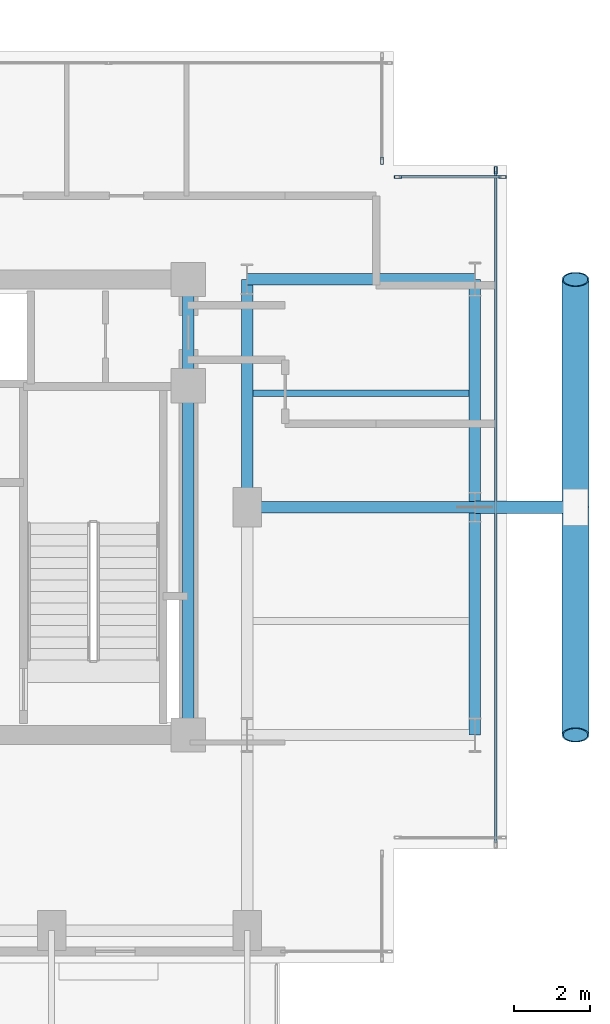
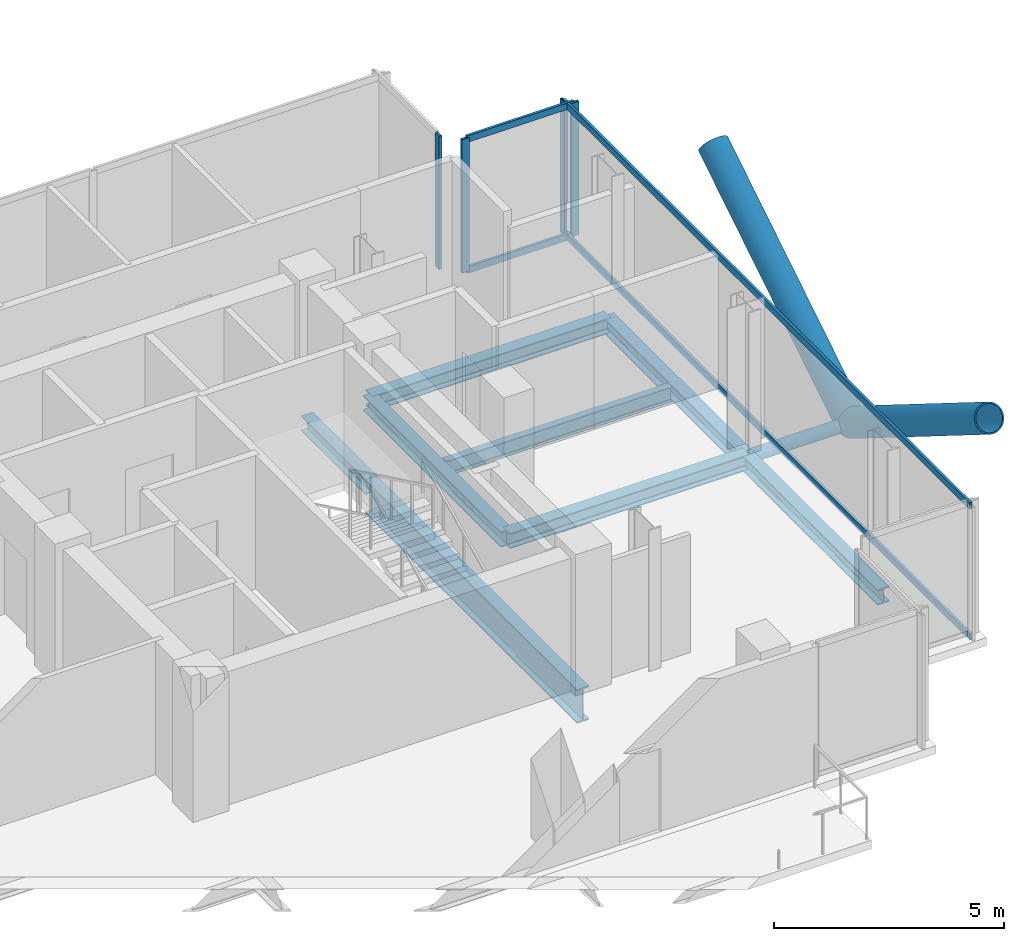
# One storey, part 12 of 25: 11 members, 8 beams, 3 elements without a shape of their own.
"""IFC4 building model written with IfcOpenShell, lengths in metres."""

from ifc_helpers import new_model, si_unit, direction, frame, origin, origin_2d, place, context, subcontext, project, spatial, hollow_rectangle, hollow_circle, i_section, extrude, material, layer, layer_set, material_profile, profile_set, type_object, element, aggregate, save


model = new_model("IFC4")

# Units and contexts
model_context = context("Model", 3, precision=1e-05, world=origin(), true_north=direction((0.0, 1.0)))
body_context = subcontext(model_context, "Body", "Model", "MODEL_VIEW")
ifc_project = project(units=[si_unit("LENGTHUNIT", "METRE"), si_unit("AREAUNIT", "SQUARE_METRE"), si_unit("VOLUMEUNIT", "CUBIC_METRE"), si_unit("PLANEANGLEUNIT", "RADIAN"), si_unit("MASSUNIT", "GRAM", prefix="KILO"), si_unit("THERMODYNAMICTEMPERATUREUNIT", "KELVIN"), si_unit("POWERUNIT", "WATT")], contexts=[model_context])

# Site, building, storey
site_placement = place(None, origin())
site = spatial("IfcSite", under=ifc_project, at=site_placement, CompositionType="ELEMENT")
building_placement = place(site_placement, origin())
building = spatial("IfcBuilding", under=site, at=building_placement, Name="Svarakhadi Broadcast Tower", CompositionType="ELEMENT")
storey_placement = place(building_placement, frame((0.0, 0.0, 216.14990234375)))
storey = spatial("IfcBuildingStorey", under=building, at=storey_placement, Name="L53", CompositionType="ELEMENT", Elevation=216.14990234375)

# Beam
ifc_material_1 = material(Name="Steel S355J2 (IS 2062 E350C)", Category="steel")
ifc_material_profile_1 = material_profile(ifc_material_1, i_section(OverallWidth=0.179931640625, OverallDepth=0.39990234375, WebThickness=0.008544921875, FlangeThickness=0.013427734375, FilletRadius=0.02099609375, at=origin_2d()), Name="NPB 400x180x66")
ifc_profile_set_1 = profile_set([ifc_material_profile_1], Name="Steel S355J2 (IS 2062 E350C)")
beam_type_1 = type_object("IfcBeamType", Name="Beam_NPB400", PredefinedType="BEAM", material=ifc_profile_set_1)
beam_1_placement = place(storey_placement, frame((35.31005859375, 15.0, -0.409912109375), z_axis=(1.0, 0.0, 0.0), x_axis=(0.0, 1.0, 0.0)))
element("IfcBeam", 1, at=beam_1_placement, inside=storey, type_object=beam_type_1, Name="L53 Secondary Composite Beam SB017", PredefinedType="BEAM", context=body_context, shape_type="SweptSolid", body=[
    extrude(i_section(OverallWidth=0.179931640625, OverallDepth=0.39990234375, WebThickness=0.008544921875, FlangeThickness=0.013427734375, FilletRadius=0.02099609375, at=origin_2d()), origin(), (0.0, 0.0, 1.0), 5.679931640625),
])

# Curtain wall, member
ifc_material_2 = material(Name="Anodised Bronze Aluminium AA 6063-T6", Category="aluminium")
ifc_layer = layer(ifc_material_2, 0.18994140625)
ifc_layer_set = layer_set([ifc_layer], Name="Anodised Bronze Aluminium AA 6063-T6")
curtain_wall_type = type_object("IfcCurtainWallType", Name="CW_Sys_04", PredefinedType="NOTDEFINED", material=ifc_layer_set)
curtain_wall_1_placement = place(storey_placement, origin())
curtain_wall_1 = element("IfcCurtainWall", 2, at=curtain_wall_1_placement, inside=storey, type_object=curtain_wall_type, Name="L53 Unitised Facade Curtain Wall 11", PredefinedType="NOTDEFINED")
ifc_material_profile_2 = material_profile(ifc_material_2, hollow_rectangle(XDim=0.070068359375, YDim=0.18994140625, WallThickness=0.005615234375, at=origin_2d()), Name="ALU MULLION 190x70x6")
ifc_profile_set_2 = profile_set([ifc_material_profile_2], Name="Anodised Bronze Aluminium AA 6063-T6")
member_type_1 = type_object("IfcMemberType", Name="CW_Sys_04_Mul", PredefinedType="MULLION", material=ifc_profile_set_2)
member_1_placement = place(storey_placement, frame((38.699951171875, 21.125, 0.0), z_axis=(0.0, 0.0, 1.0), x_axis=(1.0, 0.0, 0.0)))
member_1 = element("IfcMember", 3, at=member_1_placement, type_object=member_type_1, Name="CW-04 mullion 2", PredefinedType="MULLION", context=body_context, shape_type="SweptSolid", body=[
    extrude(hollow_rectangle(XDim=0.070068359375, YDim=0.18994140625, WallThickness=0.005615234375, at=origin_2d()), origin(), (0.0, 0.0, 1.0), 3.5400390625),
])
aggregate(curtain_wall_1, [member_1])

# Curtain wall, members
curtain_wall_2_placement = place(storey_placement, origin())
curtain_wall_2 = element("IfcCurtainWall", 4, at=curtain_wall_2_placement, inside=storey, type_object=curtain_wall_type, Name="L53 Unitised Facade Curtain Wall 12", PredefinedType="NOTDEFINED")
member_2_placement = place(storey_placement, frame((39.125, 20.699951171875, 0.0), z_axis=(0.0, 0.0, 1.0), x_axis=(0.0, 1.0, 0.0)))
member_2 = element("IfcMember", 5, at=member_2_placement, type_object=member_type_1, Name="CW-04 mullion 1", PredefinedType="MULLION", context=body_context, shape_type="SweptSolid", body=[
    extrude(hollow_rectangle(XDim=0.070068359375, YDim=0.18994140625, WallThickness=0.005615234375, at=origin_2d()), origin(), (0.0, 0.0, 1.0), 3.5400390625),
])
member_3_placement = place(storey_placement, frame((41.875, 20.699951171875, 0.0), z_axis=(0.0, 0.0, 1.0), x_axis=(0.0, 1.0, 0.0)))
member_3 = element("IfcMember", 6, at=member_3_placement, type_object=member_type_1, Name="CW-04 mullion 2", PredefinedType="MULLION", context=body_context, shape_type="SweptSolid", body=[
    extrude(hollow_rectangle(XDim=0.070068359375, YDim=0.18994140625, WallThickness=0.005615234375, at=origin_2d()), origin(), (0.0, 0.0, 1.0), 3.5400390625),
])

# Curtain wall, member
curtain_wall_3_placement = place(storey_placement, origin())
curtain_wall_3 = element("IfcCurtainWall", 7, at=curtain_wall_3_placement, inside=storey, type_object=curtain_wall_type, Name="L53 Unitised Facade Curtain Wall 13", PredefinedType="NOTDEFINED")
member_4_placement = place(storey_placement, frame((41.699951171875, 20.875, 0.0), z_axis=(0.0, 0.0, 1.0), x_axis=(1.0, 0.0, 0.0)))
member_4 = element("IfcMember", 8, at=member_4_placement, type_object=member_type_1, Name="CW-04 mullion 1", PredefinedType="MULLION", context=body_context, shape_type="SweptSolid", body=[
    extrude(hollow_rectangle(XDim=0.070068359375, YDim=0.18994140625, WallThickness=0.005615234375, at=origin_2d()), origin(), (0.0, 0.0, 1.0), 3.5400390625),
])

# Member
ifc_material_profile_3 = material_profile(ifc_material_2, hollow_rectangle(XDim=0.06494140625, YDim=0.175048828125, WallThickness=0.0048828125, at=origin_2d()), Name="ALU TRANSOM 175x65x5")
ifc_profile_set_3 = profile_set([ifc_material_profile_3], Name="Anodised Bronze Aluminium AA 6063-T6")
member_type_2 = type_object("IfcMemberType", Name="CW_Sys_04_Trn", PredefinedType="USERDEFINED", material=ifc_profile_set_3)
member_5_placement = place(storey_placement, frame((39.159912109375, 20.699951171875, 0.03271484375), z_axis=(1.0, 0.0, 0.0), x_axis=(0.0, 1.0, 0.0)))
member_5 = element("IfcMember", 9, at=member_5_placement, type_object=member_type_2, Name="CW-04 transom 1.1", ObjectType="TRANSOM", PredefinedType="USERDEFINED", context=body_context, shape_type="SweptSolid", body=[
    extrude(hollow_rectangle(XDim=0.06494140625, YDim=0.175048828125, WallThickness=0.0048828125, at=origin_2d()), origin(), (0.0, 0.0, 1.0), 2.68017578125),
])

member_6_placement = place(storey_placement, frame((39.159912109375, 20.699951171875, 3.507568359375), z_axis=(1.0, 0.0, 0.0), x_axis=(0.0, 1.0, 0.0)))
member_6 = element("IfcMember", 10, at=member_6_placement, type_object=member_type_2, Name="CW-04 transom 1.2", ObjectType="TRANSOM", PredefinedType="USERDEFINED", context=body_context, shape_type="SweptSolid", body=[
    extrude(hollow_rectangle(XDim=0.06494140625, YDim=0.175048828125, WallThickness=0.0048828125, at=origin_2d()), origin(), (0.0, 0.0, 1.0), 2.68017578125),
])

aggregate(curtain_wall_2, [member_2, member_3, member_5, member_6])

member_7_placement = place(storey_placement, frame((41.699951171875, 20.840087890625, 0.03271484375), z_axis=(0.0, -1.0, 0.0), x_axis=(1.0, 0.0, 0.0)))
member_7 = element("IfcMember", 11, at=member_7_placement, type_object=member_type_2, Name="CW-04 transom 1.1", ObjectType="TRANSOM", PredefinedType="USERDEFINED", context=body_context, shape_type="SweptSolid", body=[
    extrude(hollow_rectangle(XDim=0.06494140625, YDim=0.175048828125, WallThickness=0.0048828125, at=origin_2d()), origin(), (0.0, 0.0, 1.0), 17.68017578125),
])

member_8_placement = place(storey_placement, frame((41.699951171875, 20.840087890625, 3.507568359375), z_axis=(0.0, -1.0, 0.0), x_axis=(1.0, 0.0, 0.0)))
member_8 = element("IfcMember", 12, at=member_8_placement, type_object=member_type_2, Name="CW-04 transom 1.2", ObjectType="TRANSOM", PredefinedType="USERDEFINED", context=body_context, shape_type="SweptSolid", body=[
    extrude(hollow_rectangle(XDim=0.06494140625, YDim=0.175048828125, WallThickness=0.0048828125, at=origin_2d()), origin(), (0.0, 0.0, 1.0), 17.68017578125),
])

aggregate(curtain_wall_3, [member_4, member_7, member_8])

# Members
ifc_material_3 = material(Name="Steel S460ML (IS 2062 E450BR)", Category="steel")
ifc_material_profile_4 = material_profile(ifc_material_3, hollow_circle(Radius=0.35546875, WallThickness=0.034912109375, at=origin_2d()), Name="CHS 711x35")
ifc_profile_set_4 = profile_set([ifc_material_profile_4], Name="Steel S460ML (IS 2062 E450BR)")
member_type_3 = type_object("IfcMemberType", Name="Exo_Brace_CHS711", PredefinedType="BRACE", material=ifc_profile_set_4)
for number, where, z_axis, x_axis, name in (
    (13, (43.800048828125, 12.0, -0.371826171875), (0.0, -0.847998304005, 0.529998940003), (1.0, 0.0, 0.0), "L53 Exposed Bronze Exoskeleton Diagonal E06"),
    (14, (43.800048828125, 12.0, -0.371826171875), (0.0, 0.847998304005, 0.529998940003), (-1.0, 0.0, 0.0), "L53 Exposed Bronze Exoskeleton Diagonal E07"),
):
    element("IfcMember", number, at=place(storey_placement, frame(where, z_axis=z_axis, x_axis=x_axis)), inside=storey, type_object=member_type_3, Name=name, PredefinedType="BRACE", context=body_context, shape_type="SweptSolid", body=[
        extrude(hollow_circle(Radius=0.35546875, WallThickness=0.034912109375, at=origin_2d()), origin(), (0.0, 0.0, 1.0), 7.075439453125),
    ])
ifc_material_profile_5 = material_profile(ifc_material_3, hollow_circle(Radius=0.161865234375, WallThickness=0.01611328125, at=origin_2d()), Name="CHS 323.9x16")
ifc_profile_set_5 = profile_set([ifc_material_profile_5], Name="Steel S460ML (IS 2062 E450BR)")
member_type_4 = type_object("IfcMemberType", Name="Exo_Radial_Strut_Z2", PredefinedType="STRUT", material=ifc_profile_set_5)
member_9_placement = place(storey_placement, frame((43.800048828125, 12.0, -0.371826171875), z_axis=(-1.0, 0.0, 0.0), x_axis=(0.0, -1.0, 0.0)))
element("IfcMember", 15, at=member_9_placement, inside=storey, type_object=member_type_4, Name="L53 Exoskeleton Radial Tie Strut E04", PredefinedType="STRUT", context=body_context, shape_type="SweptSolid", body=[
    extrude(hollow_circle(Radius=0.161865234375, WallThickness=0.01611328125, at=origin_2d()), origin(), (0.0, 0.0, 1.0), 2.650146484375),
])

# Beams
ifc_material_profile_6 = material_profile(ifc_material_1, i_section(OverallWidth=0.300048828125, OverallDepth=0.39990234375, WebThickness=0.013427734375, FlangeThickness=0.02392578125, FilletRadius=0.027099609375, at=origin_2d()), Name="WPB 400x300x155")
ifc_profile_set_6 = profile_set([ifc_material_profile_6], Name="Steel S355J2 (IS 2062 E350C)")
beam_type_2 = type_object("IfcBeamType", Name="Girder_WPB400", PredefinedType="USERDEFINED", material=ifc_profile_set_6)
for number, where, z_axis, x_axis, name in (
    (16, (35.14990234375, 12.0, -0.409912109375), (1.0, 0.0, 0.0), (0.0, 1.0, 0.0), "L53 Primary E-W Girder G019"),
    (17, (35.14990234375, 18.0, -0.409912109375), (1.0, 0.0, 0.0), (0.0, 1.0, 0.0), "L53 Primary E-W Girder G025"),
):
    element("IfcBeam", number, at=place(storey_placement, frame(where, z_axis=z_axis, x_axis=x_axis)), inside=storey, type_object=beam_type_2, Name=name, ObjectType="GIRDER", PredefinedType="USERDEFINED", context=body_context, shape_type="SweptSolid", body=[
        extrude(i_section(OverallWidth=0.300048828125, OverallDepth=0.39990234375, WebThickness=0.013427734375, FlangeThickness=0.02392578125, FilletRadius=0.027099609375, at=origin_2d()), origin(), (0.0, 0.0, 1.0), 6.0),
    ])
beam_2_placement = place(storey_placement, frame((33.60009765625, 15.199951171875, -0.409912109375), z_axis=(0.0, 1.0, 0.0), x_axis=(-1.0, 0.0, 0.0)))
element("IfcBeam", 18, at=beam_2_placement, inside=storey, type_object=beam_type_2, Name="L53 Primary N-S Girder G055", ObjectType="GIRDER", PredefinedType="USERDEFINED", context=body_context, shape_type="SweptSolid", body=[
    extrude(i_section(OverallWidth=0.300048828125, OverallDepth=0.39990234375, WebThickness=0.013427734375, FlangeThickness=0.02392578125, FilletRadius=0.027099609375, at=origin_2d()), origin(), (0.0, 0.0, 1.0), 2.800048828125),
])
for number, where, z_axis, x_axis, name in (
    (19, (35.14990234375, 12.0, -0.409912109375), (0.0, 1.0, 0.0), (-1.0, 0.0, 0.0), "L53 Primary N-S Girder G058"),
    (20, (41.14990234375, 6.0, -0.409912109375), (0.0, 1.0, 0.0), (-1.0, 0.0, 0.0), "L53 Primary N-S Girder G059"),
    (21, (41.14990234375, 12.0, -0.409912109375), (0.0, 1.0, 0.0), (-1.0, 0.0, 0.0), "L53 Primary N-S Girder G060"),
):
    element("IfcBeam", number, at=place(storey_placement, frame(where, z_axis=z_axis, x_axis=x_axis)), inside=storey, type_object=beam_type_2, Name=name, ObjectType="GIRDER", PredefinedType="USERDEFINED", context=body_context, shape_type="SweptSolid", body=[
        extrude(i_section(OverallWidth=0.300048828125, OverallDepth=0.39990234375, WebThickness=0.013427734375, FlangeThickness=0.02392578125, FilletRadius=0.027099609375, at=origin_2d()), origin(), (0.0, 0.0, 1.0), 6.0),
    ])
ifc_material_profile_7 = material_profile(ifc_material_3, i_section(OverallWidth=0.300048828125, OverallDepth=0.89990234375, WebThickness=0.0185546875, FlangeThickness=0.034912109375, FilletRadius=0.030029296875, at=origin_2d()), Name="WPB 900x300x291")
ifc_profile_set_7 = profile_set([ifc_material_profile_7], Name="Steel S460ML (IS 2062 E450BR)")
beam_type_3 = type_object("IfcBeamType", Name="Girder_WPB900", PredefinedType="USERDEFINED", material=ifc_profile_set_7)
beam_3_placement = place(storey_placement, frame((33.60009765625, 6.0, -0.659912109375), z_axis=(0.0, 1.0, 0.0), x_axis=(-1.0, 0.0, 0.0)))
element("IfcBeam", 22, at=beam_3_placement, inside=storey, type_object=beam_type_3, Name="L53 Primary N-S Girder G054", ObjectType="GIRDER", PredefinedType="USERDEFINED", context=body_context, shape_type="SweptSolid", body=[
    extrude(i_section(OverallWidth=0.300048828125, OverallDepth=0.89990234375, WebThickness=0.0185546875, FlangeThickness=0.034912109375, FilletRadius=0.030029296875, at=origin_2d()), origin(), (0.0, 0.0, 1.0), 9.199951171875),
])

save(model, "model.ifc")
